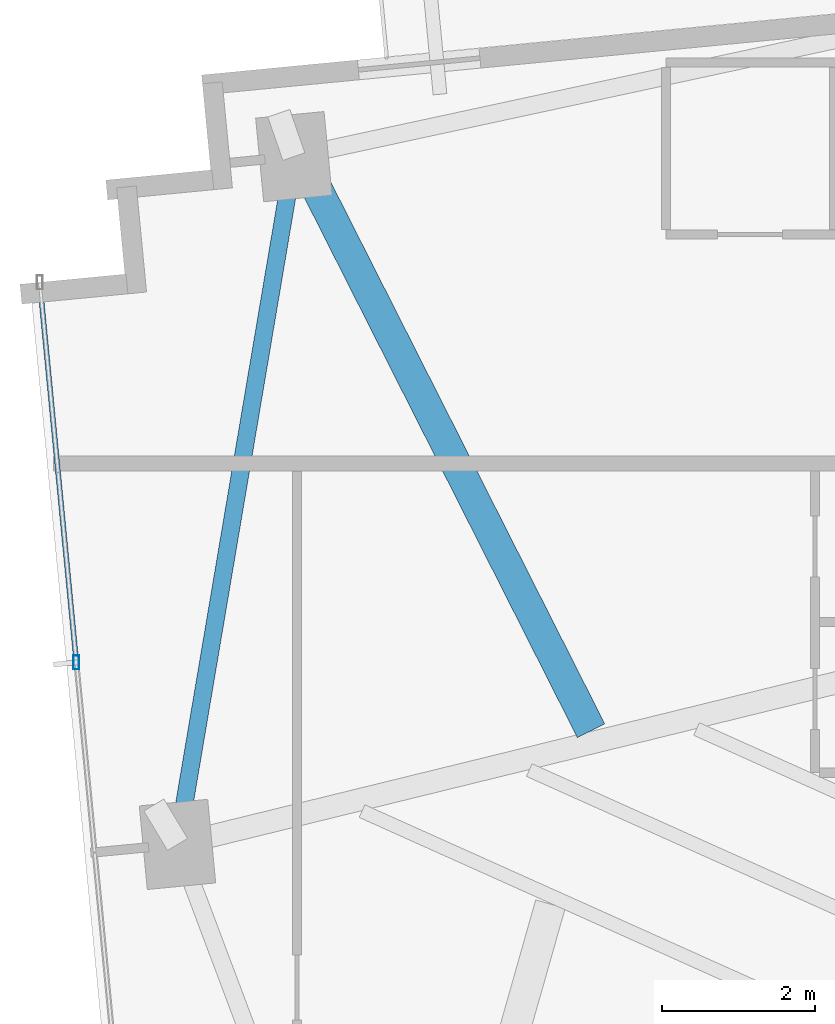
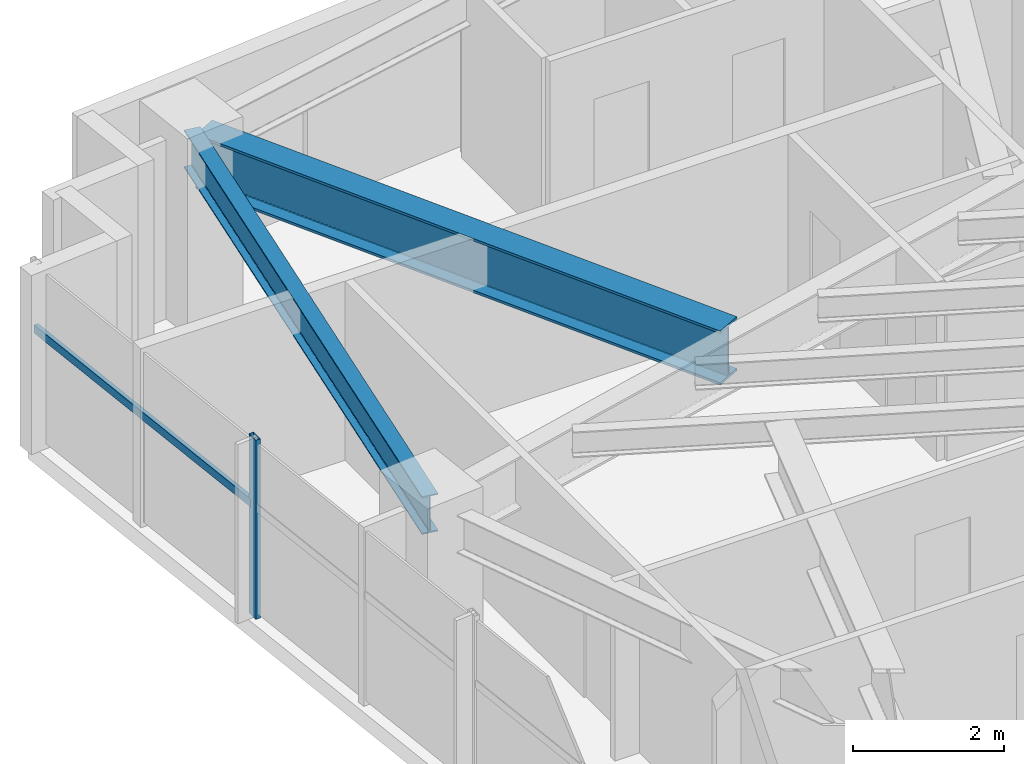
# One storey, part 4 of 27: 2 beams, 2 members, 1 element without a shape of its own.
"""IFC4 building model written with IfcOpenShell, lengths in metres."""

from ifc_helpers import new_model, si_unit, direction, frame, origin, origin_2d, place, context, subcontext, project, spatial, hollow_rectangle, i_section, extrude, source, transform, mapped, material, material_profile, profile_set, type_object, type_shapes, element, aggregate, save


model = new_model("IFC4")

# Units and contexts
model_context = context("Model", 3, precision=1e-05, world=origin(), true_north=direction((0.0, 1.0)))
body_context = subcontext(model_context, "Body", "Model", "MODEL_VIEW")
ifc_project = project(units=[si_unit("LENGTHUNIT", "METRE"), si_unit("AREAUNIT", "SQUARE_METRE"), si_unit("VOLUMEUNIT", "CUBIC_METRE"), si_unit("PLANEANGLEUNIT", "RADIAN"), si_unit("MASSUNIT", "GRAM", prefix="KILO")], contexts=[model_context])

# Site, building, storey
site_placement = place(None, origin())
site = spatial("IfcSite", under=ifc_project, at=site_placement, CompositionType="ELEMENT")
building_placement = place(site_placement, origin())
building = spatial("IfcBuilding", under=site, at=building_placement, Name="Astriad Promenade Condominiums", CompositionType="ELEMENT")
storey_placement = place(building_placement, frame((0.0, 0.0, 116.199951171875)))
storey = spatial("IfcBuildingStorey", under=building, at=storey_placement, Name="L33", CompositionType="ELEMENT", Elevation=116.199951171875)

# Beams
ifc_material_1 = material(Name="Steel ASTM A992 Grade 50", Category="steel")
ifc_material_profile_1 = material_profile(ifc_material_1, i_section(OverallWidth=0.22900390625, OverallDepth=0.612060546875, WebThickness=0.011962890625, FlangeThickness=0.01953125, FilletRadius=0.017822265625, at=origin_2d()), Name="W24X84")
ifc_profile_set_1 = profile_set([ifc_material_profile_1], Name="Steel ASTM A992 Grade 50")
beam_type_1 = type_object("IfcBeamType", Name="STEEL SPANDREL BEAM W24X84", PredefinedType="SPANDREL", material=ifc_profile_set_1)
shared_shape_1 = source(origin(), body_context, "Body", "SweptSolid", [
    extrude(i_section(OverallWidth=0.22900390625, OverallDepth=0.612060546875, WebThickness=0.011962890625, FlangeThickness=0.01953125, FilletRadius=0.017822265625, at=origin_2d()), origin(), (0.0, 0.0, 1.0), 9.055419921875),
])
type_shapes(beam_type_1, [shared_shape_1])
beam_1_placement = place(storey_placement, frame((12.2685546875, 22.52880859375, 2.593994140625), z_axis=(-0.166776851291, -0.98599466625, 0.0), x_axis=(0.98599466625, -0.166776851291, 0.0)))
element("IfcBeam", 1, at=beam_1_placement, inside=storey, type_object=beam_type_1, Name="Perimeter Spandrel Beam SP-W2-L33", PredefinedType="SPANDREL", context=body_context, shape_type="MappedRepresentation", body=[
    mapped(shared_shape_1, transform((0.0, 0.0, 0.0), scale=1.0)),
])
ifc_material_profile_2 = material_profile(ifc_material_1, i_section(OverallWidth=0.4013671875, OverallDepth=0.877197265625, WebThickness=0.022216796875, FlangeThickness=0.039794921875, FilletRadius=0.02294921875, at=origin_2d()), Name="W33X263")
ifc_profile_set_2 = profile_set([ifc_material_profile_2], Name="Steel ASTM A992 Grade 50")
beam_type_2 = type_object("IfcBeamType", Name="STEEL TRANSFER CARRIER GIRDER W33X263", PredefinedType="BEAM", material=ifc_profile_set_2)
shared_shape_2 = source(origin(), body_context, "Body", "SweptSolid", [
    extrude(i_section(OverallWidth=0.4013671875, OverallDepth=0.877197265625, WebThickness=0.022216796875, FlangeThickness=0.039794921875, FilletRadius=0.02294921875, at=origin_2d()), origin(), (0.0, 0.0, 1.0), 8.31591796875),
])
type_shapes(beam_type_2, [shared_shape_2])
beam_2_placement = place(storey_placement, frame((16.16796875, 15.050048828125, 2.46142578125), z_axis=(-0.451260398948, 0.892392319746, 0.0), x_axis=(-0.892392319746, -0.451260398948, 0.0)))
element("IfcBeam", 2, at=beam_2_placement, inside=storey, type_object=beam_type_2, Name="Transfer Splice Carrier TRM-SP-PC06-L33", PredefinedType="BEAM", context=body_context, shape_type="MappedRepresentation", body=[
    mapped(shared_shape_2, transform((0.0, 0.0, 0.0), scale=1.0)),
])

# Curtain wall, members
ifc_material_2 = material(Name="Anodised aluminium Black Dark Glass Unitised", Category="aluminium")
curtain_wall_type = type_object("IfcCurtainWallType", Name="CW-B2-DARK", PredefinedType="USERDEFINED", material=ifc_material_2)
curtain_wall_placement = place(storey_placement, origin())
curtain_wall = element("IfcCurtainWall", 3, at=curtain_wall_placement, inside=storey, type_object=curtain_wall_type, Name="CW-L33-W", ObjectType="UNITISED_CURTAIN_WALL", PredefinedType="USERDEFINED")
ifc_material_3 = material(Name="Anodised aluminium 6063-T6 Black", Category="aluminium")
ifc_material_profile_3 = material_profile(ifc_material_3, hollow_rectangle(XDim=0.06494140625, YDim=0.1298828125, WallThickness=0.00390625, at=origin_2d()), Name="ALU-TRN-65X130")
ifc_profile_set_3 = profile_set([ifc_material_profile_3], Name="Anodised aluminium 6063-T6 Black")
member_type_1 = type_object("IfcMemberType", Name="TRN-ALU-TRN-65X130", PredefinedType="USERDEFINED", material=ifc_profile_set_3)
shared_shape_3 = source(origin(), body_context, "Body", "SweptSolid", [
    extrude(hollow_rectangle(XDim=0.06494140625, YDim=0.1298828125, WallThickness=0.00390625, at=origin_2d()), origin(), (0.0, 0.0, 1.0), 5.0),
])
type_shapes(member_type_1, [shared_shape_3])
member_1_placement = place(storey_placement, frame((9.427001953125, 15.94482421875, 1.798095703125), z_axis=(-0.095848242264, 0.995395958629, 0.0), x_axis=(-0.995395958629, -0.095848242264, 0.0)))
member_1 = element("IfcMember", 4, at=member_1_placement, type_object=member_type_1, Name="CW-L33-W-TRN-02-0", ObjectType="TRANSOM", PredefinedType="USERDEFINED", context=body_context, shape_type="MappedRepresentation", body=[
    mapped(shared_shape_3, transform((0.0, 0.0, 0.0), scale=1.0)),
])
ifc_material_profile_4 = material_profile(ifc_material_3, hollow_rectangle(XDim=0.074951171875, YDim=0.18505859375, WallThickness=0.00439453125, at=origin_2d()), Name="ALU-MUL-75X185")
ifc_profile_set_4 = profile_set([ifc_material_profile_4], Name="Anodised aluminium 6063-T6 Black")
member_type_2 = type_object("IfcMemberType", Name="MUL-ALU-MUL-75X185", PredefinedType="MULLION", material=ifc_profile_set_4)
shared_shape_4 = source(origin(), body_context, "Body", "SweptSolid", [
    extrude(hollow_rectangle(XDim=0.074951171875, YDim=0.18505859375, WallThickness=0.00439453125, at=origin_2d()), origin(), (0.0, 0.0, 1.0), 2.900146484375),
])
type_shapes(member_type_2, [shared_shape_4])
member_2_placement = place(storey_placement, frame((9.427001953125, 15.94482421875, 0.0), z_axis=(0.0, 0.0, 1.0), x_axis=(1.0, 0.0, 0.0)))
member_2 = element("IfcMember", 5, at=member_2_placement, type_object=member_type_2, Name="CW-L33-W-MUL-02", PredefinedType="MULLION", context=body_context, shape_type="MappedRepresentation", body=[
    mapped(shared_shape_4, transform((0.0, 0.0, 0.0), scale=1.0)),
])
aggregate(curtain_wall, [member_2, member_1])

save(model, "model.ifc")
